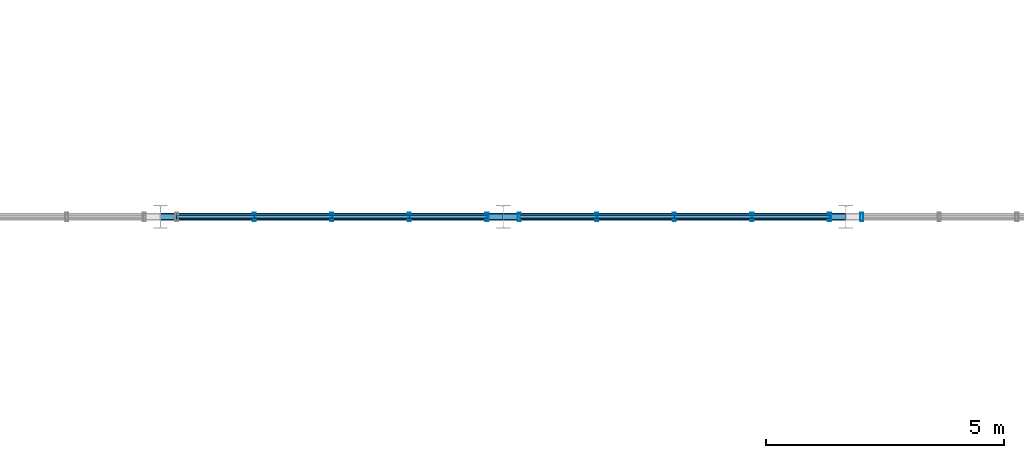
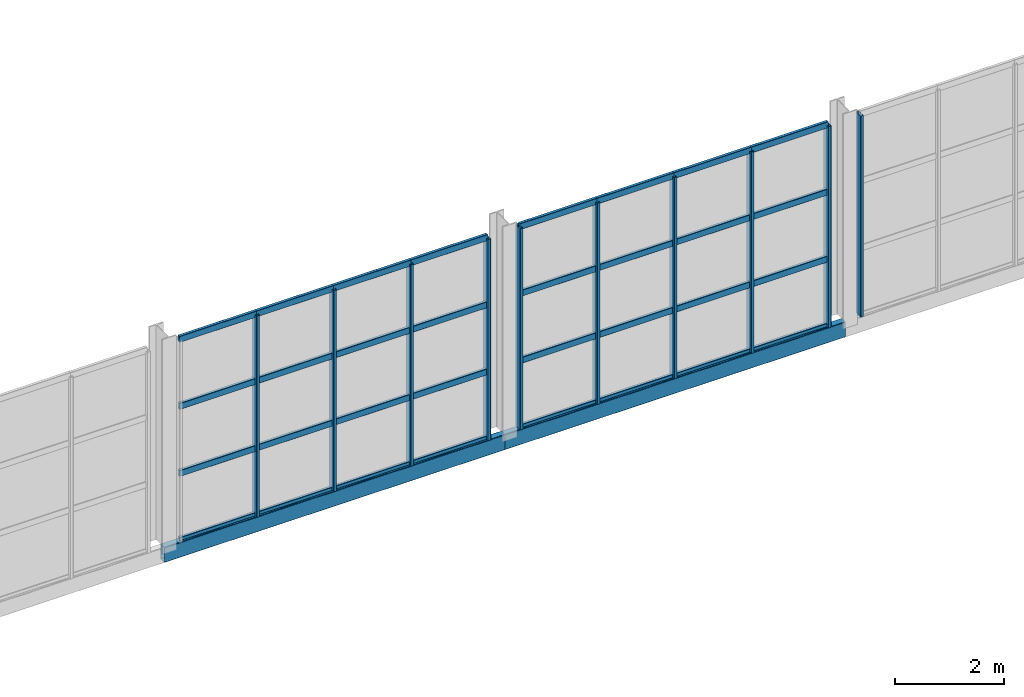
# One storey, part 29 of 143: 42 members, 2 beams, 3 elements without a shape of their own.
"""IFC4 building model written with IfcOpenShell, lengths in metres."""

from ifc_helpers import new_model, si_unit, derived_unit, direction, frame, origin, origin_2d, place, context, subcontext, project, spatial, hollow_rectangle, extrude, material, material_profile, profile_set, type_object, element, aggregate, save


model = new_model("IFC4")

# Units and contexts
model_context = context("Model", 3, precision=1e-05, world=origin(), true_north=direction((0.0, 1.0)))
body_context = subcontext(model_context, "Body", "Model", "MODEL_VIEW")
ifc_project = project(units=[si_unit("LENGTHUNIT", "METRE"), si_unit("AREAUNIT", "SQUARE_METRE"), si_unit("VOLUMEUNIT", "CUBIC_METRE"), si_unit("PLANEANGLEUNIT", "RADIAN"), si_unit("MASSUNIT", "GRAM", prefix="KILO"), derived_unit("THERMALTRANSMITTANCEUNIT", [(si_unit("POWERUNIT", "WATT"), 1), (si_unit("LENGTHUNIT", "METRE"), -2), (si_unit("THERMODYNAMICTEMPERATUREUNIT", "KELVIN"), -1)])], contexts=[model_context])

# Site, building, storey
site_placement = place(None, origin())
site = spatial("IfcSite", under=ifc_project, at=site_placement, CompositionType="ELEMENT")
building_placement = place(site_placement, origin())
building = spatial("IfcBuilding", under=site, at=building_placement, Name="Keldorne Ridge Multi-Sports Centre", CompositionType="ELEMENT")
storey_placement = place(building_placement, frame((0.0, 0.0, 4.800048828125)))
storey = spatial("IfcBuildingStorey", under=building, at=storey_placement, Name="L01", CompositionType="ELEMENT", Elevation=4.800048828125)

# Beams
ifc_material_1 = material(Name="Steel S355", Category="steel")
ifc_material_profile_1 = material_profile(ifc_material_1, hollow_rectangle(XDim=0.14990234375, YDim=0.35009765625, WallThickness=0.012451171875, InnerFilletRadius=0.012451171875, OuterFilletRadius=0.02490234375, at=origin_2d()), Name="RHS 350x150x12.5")
ifc_profile_set_1 = profile_set([ifc_material_profile_1], Name="Steel S355")
beam_type = type_object("IfcBeamType", Name="BM-SP-06", PredefinedType="SPANDREL", material=ifc_profile_set_1)
for number, where, z_axis, x_axis, name in (
    (1, (34.800048828125, 54.0, -0.175048828125), (1.0, 0.0, 0.0), (0.0, 1.0, 0.0), "Main Hall north spandrel L01.5"),
    (2, (42.0, 54.0, -0.175048828125), (1.0, 0.0, 0.0), (0.0, 1.0, 0.0), "Main Hall north spandrel L01.6"),
):
    element("IfcBeam", number, at=place(storey_placement, frame(where, z_axis=z_axis, x_axis=x_axis)), inside=storey, type_object=beam_type, Name=name, PredefinedType="SPANDREL", context=body_context, shape_type="SweptSolid", body=[
        extrude(hollow_rectangle(XDim=0.14990234375, YDim=0.35009765625, WallThickness=0.012451171875, InnerFilletRadius=0.012451171875, OuterFilletRadius=0.02490234375, at=origin_2d()), origin(), (0.0, 0.0, 1.0), 7.199951171875),
    ])

# Curtain wall, members
ifc_material_2 = material(Name="Anodized aluminium", Category="aluminium")
curtain_wall_type_1 = type_object("IfcCurtainWallType", Name="CW-CW-06", PredefinedType="NOTDEFINED", material=ifc_material_2)
curtain_wall_1_placement = place(storey_placement, origin())
curtain_wall_1 = element("IfcCurtainWall", 3, at=curtain_wall_1_placement, inside=storey, type_object=curtain_wall_type_1, Name="Main Hall north clerestory curtain wall 014", PredefinedType="NOTDEFINED")
ifc_material_profile_2 = material_profile(ifc_material_2, hollow_rectangle(XDim=0.06494140625, YDim=0.179931640625, WallThickness=0.00439453125, InnerFilletRadius=0.00439453125, OuterFilletRadius=0.009033203125, at=origin_2d()), Name="ALU MULLION 180x65x4.5")
ifc_profile_set_2 = profile_set([ifc_material_profile_2], Name="Anodized aluminium")
member_type_1 = type_object("IfcMemberType", Name="MEM-ML-01", PredefinedType="MULLION", material=ifc_profile_set_2)
member_1_placement = place(storey_placement, frame((41.659912109375, 54.0, 0.0), z_axis=(0.0, 0.0, 1.0), x_axis=(1.0, 0.0, 0.0)))
member_1 = element("IfcMember", 4, at=member_1_placement, type_object=member_type_1, Name="CW-014 vertical mullion 1", PredefinedType="MULLION", context=body_context, shape_type="SweptSolid", body=[
    extrude(hollow_rectangle(XDim=0.06494140625, YDim=0.179931640625, WallThickness=0.00439453125, InnerFilletRadius=0.00439453125, OuterFilletRadius=0.009033203125, at=origin_2d()), origin(), (0.0, 0.0, 1.0), 4.5),
])
member_2_placement = place(storey_placement, frame((40.030029296875, 54.0, 0.0), z_axis=(0.0, 0.0, 1.0), x_axis=(1.0, 0.0, 0.0)))
member_2 = element("IfcMember", 5, at=member_2_placement, type_object=member_type_1, Name="CW-014 vertical mullion 2", PredefinedType="MULLION", context=body_context, shape_type="SweptSolid", body=[
    extrude(hollow_rectangle(XDim=0.06494140625, YDim=0.179931640625, WallThickness=0.00439453125, InnerFilletRadius=0.00439453125, OuterFilletRadius=0.009033203125, at=origin_2d()), origin(), (0.0, 0.0, 1.0), 4.5),
])
member_3_placement = place(storey_placement, frame((38.39990234375, 54.0, 0.0), z_axis=(0.0, 0.0, 1.0), x_axis=(1.0, 0.0, 0.0)))
member_3 = element("IfcMember", 6, at=member_3_placement, type_object=member_type_1, Name="CW-014 vertical mullion 3", PredefinedType="MULLION", context=body_context, shape_type="SweptSolid", body=[
    extrude(hollow_rectangle(XDim=0.06494140625, YDim=0.179931640625, WallThickness=0.00439453125, InnerFilletRadius=0.00439453125, OuterFilletRadius=0.009033203125, at=origin_2d()), origin(), (0.0, 0.0, 1.0), 4.5),
])
member_4_placement = place(storey_placement, frame((36.77001953125, 54.0, 0.0), z_axis=(0.0, 0.0, 1.0), x_axis=(1.0, 0.0, 0.0)))
member_4 = element("IfcMember", 7, at=member_4_placement, type_object=member_type_1, Name="CW-014 vertical mullion 4", PredefinedType="MULLION", context=body_context, shape_type="SweptSolid", body=[
    extrude(hollow_rectangle(XDim=0.06494140625, YDim=0.179931640625, WallThickness=0.00439453125, InnerFilletRadius=0.00439453125, OuterFilletRadius=0.009033203125, at=origin_2d()), origin(), (0.0, 0.0, 1.0), 4.5),
])

curtain_wall_type_2 = type_object("IfcCurtainWallType", Name="CW-CW-08", PredefinedType="NOTDEFINED", material=ifc_material_2)
curtain_wall_2_placement = place(storey_placement, origin())
curtain_wall_2 = element("IfcCurtainWall", 8, at=curtain_wall_2_placement, inside=storey, type_object=curtain_wall_type_2, Name="Main Hall north clerestory curtain wall 016", PredefinedType="NOTDEFINED")
member_5_placement = place(storey_placement, frame((48.860107421875, 54.0, 0.0), z_axis=(0.0, 0.0, 1.0), x_axis=(1.0, 0.0, 0.0)))
member_5 = element("IfcMember", 9, at=member_5_placement, type_object=member_type_1, Name="CW-016 vertical mullion 1", PredefinedType="MULLION", context=body_context, shape_type="SweptSolid", body=[
    extrude(hollow_rectangle(XDim=0.06494140625, YDim=0.179931640625, WallThickness=0.00439453125, InnerFilletRadius=0.00439453125, OuterFilletRadius=0.009033203125, at=origin_2d()), origin(), (0.0, 0.0, 1.0), 4.5),
])
member_6_placement = place(storey_placement, frame((47.22998046875, 54.0, 0.0), z_axis=(0.0, 0.0, 1.0), x_axis=(1.0, 0.0, 0.0)))
member_6 = element("IfcMember", 10, at=member_6_placement, type_object=member_type_1, Name="CW-016 vertical mullion 2", PredefinedType="MULLION", context=body_context, shape_type="SweptSolid", body=[
    extrude(hollow_rectangle(XDim=0.06494140625, YDim=0.179931640625, WallThickness=0.00439453125, InnerFilletRadius=0.00439453125, OuterFilletRadius=0.009033203125, at=origin_2d()), origin(), (0.0, 0.0, 1.0), 4.5),
])
member_7_placement = place(storey_placement, frame((45.60009765625, 54.0, 0.0), z_axis=(0.0, 0.0, 1.0), x_axis=(1.0, 0.0, 0.0)))
member_7 = element("IfcMember", 11, at=member_7_placement, type_object=member_type_1, Name="CW-016 vertical mullion 3", PredefinedType="MULLION", context=body_context, shape_type="SweptSolid", body=[
    extrude(hollow_rectangle(XDim=0.06494140625, YDim=0.179931640625, WallThickness=0.00439453125, InnerFilletRadius=0.00439453125, OuterFilletRadius=0.009033203125, at=origin_2d()), origin(), (0.0, 0.0, 1.0), 4.5),
])
member_8_placement = place(storey_placement, frame((43.969970703125, 54.0, 0.0), z_axis=(0.0, 0.0, 1.0), x_axis=(1.0, 0.0, 0.0)))
member_8 = element("IfcMember", 12, at=member_8_placement, type_object=member_type_1, Name="CW-016 vertical mullion 4", PredefinedType="MULLION", context=body_context, shape_type="SweptSolid", body=[
    extrude(hollow_rectangle(XDim=0.06494140625, YDim=0.179931640625, WallThickness=0.00439453125, InnerFilletRadius=0.00439453125, OuterFilletRadius=0.009033203125, at=origin_2d()), origin(), (0.0, 0.0, 1.0), 4.5),
])
member_9_placement = place(storey_placement, frame((42.340087890625, 54.0, 0.0), z_axis=(0.0, 0.0, 1.0), x_axis=(1.0, 0.0, 0.0)))
member_9 = element("IfcMember", 13, at=member_9_placement, type_object=member_type_1, Name="CW-016 vertical mullion 5", PredefinedType="MULLION", context=body_context, shape_type="SweptSolid", body=[
    extrude(hollow_rectangle(XDim=0.06494140625, YDim=0.179931640625, WallThickness=0.00439453125, InnerFilletRadius=0.00439453125, OuterFilletRadius=0.009033203125, at=origin_2d()), origin(), (0.0, 0.0, 1.0), 4.5),
])

# Curtain wall, member
curtain_wall_type_3 = type_object("IfcCurtainWallType", Name="CW-CW-03", PredefinedType="NOTDEFINED", material=ifc_material_2)
curtain_wall_3_placement = place(storey_placement, origin())
curtain_wall_3 = element("IfcCurtainWall", 14, at=curtain_wall_3_placement, inside=storey, type_object=curtain_wall_type_3, Name="Main Hall north clerestory curtain wall 019", PredefinedType="NOTDEFINED")
member_10_placement = place(storey_placement, frame((49.5400390625, 54.0, 0.0), z_axis=(0.0, 0.0, 1.0), x_axis=(1.0, 0.0, 0.0)))
member_10 = element("IfcMember", 15, at=member_10_placement, type_object=member_type_1, Name="CW-019 vertical mullion 5", PredefinedType="MULLION", context=body_context, shape_type="SweptSolid", body=[
    extrude(hollow_rectangle(XDim=0.06494140625, YDim=0.179931640625, WallThickness=0.00439453125, InnerFilletRadius=0.00439453125, OuterFilletRadius=0.009033203125, at=origin_2d()), origin(), (0.0, 0.0, 1.0), 4.5),
])
aggregate(curtain_wall_3, [member_10])

# Member
ifc_material_profile_3 = material_profile(ifc_material_2, hollow_rectangle(XDim=0.06494140625, YDim=0.139892578125, WallThickness=0.00439453125, InnerFilletRadius=0.00439453125, OuterFilletRadius=0.009033203125, at=origin_2d()), Name="ALU TRANSOM 140x65x4.5")
ifc_profile_set_3 = profile_set([ifc_material_profile_3], Name="Anodized aluminium")
member_type_2 = type_object("IfcMemberType", Name="MEM-TR-01", PredefinedType="USERDEFINED", material=ifc_profile_set_3)
member_11_placement = place(storey_placement, frame((41.659912109375, 54.0, 0.0), z_axis=(-1.0, 0.0, 0.0), x_axis=(0.0, -1.0, 0.0)))
member_11 = element("IfcMember", 16, at=member_11_placement, type_object=member_type_2, Name="CW-014 transom 1.1", ObjectType="TRANSOM", PredefinedType="USERDEFINED", context=body_context, shape_type="SweptSolid", body=[
    extrude(hollow_rectangle(XDim=0.06494140625, YDim=0.139892578125, WallThickness=0.00439453125, InnerFilletRadius=0.00439453125, OuterFilletRadius=0.009033203125, at=origin_2d()), origin(), (0.0, 0.0, 1.0), 1.6298828125),
])

member_12_placement = place(storey_placement, frame((41.659912109375, 54.0, 1.5), z_axis=(-1.0, 0.0, 0.0), x_axis=(0.0, -1.0, 0.0)))
member_12 = element("IfcMember", 17, at=member_12_placement, type_object=member_type_2, Name="CW-014 transom 1.2", ObjectType="TRANSOM", PredefinedType="USERDEFINED", context=body_context, shape_type="SweptSolid", body=[
    extrude(hollow_rectangle(XDim=0.06494140625, YDim=0.139892578125, WallThickness=0.00439453125, InnerFilletRadius=0.00439453125, OuterFilletRadius=0.009033203125, at=origin_2d()), origin(), (0.0, 0.0, 1.0), 1.6298828125),
])

member_13_placement = place(storey_placement, frame((41.659912109375, 54.0, 3.0), z_axis=(-1.0, 0.0, 0.0), x_axis=(0.0, -1.0, 0.0)))
member_13 = element("IfcMember", 18, at=member_13_placement, type_object=member_type_2, Name="CW-014 transom 1.3", ObjectType="TRANSOM", PredefinedType="USERDEFINED", context=body_context, shape_type="SweptSolid", body=[
    extrude(hollow_rectangle(XDim=0.06494140625, YDim=0.139892578125, WallThickness=0.00439453125, InnerFilletRadius=0.00439453125, OuterFilletRadius=0.009033203125, at=origin_2d()), origin(), (0.0, 0.0, 1.0), 1.6298828125),
])

member_14_placement = place(storey_placement, frame((41.659912109375, 54.0, 4.5), z_axis=(-1.0, 0.0, 0.0), x_axis=(0.0, -1.0, 0.0)))
member_14 = element("IfcMember", 19, at=member_14_placement, type_object=member_type_2, Name="CW-014 transom 1.4", ObjectType="TRANSOM", PredefinedType="USERDEFINED", context=body_context, shape_type="SweptSolid", body=[
    extrude(hollow_rectangle(XDim=0.06494140625, YDim=0.139892578125, WallThickness=0.00439453125, InnerFilletRadius=0.00439453125, OuterFilletRadius=0.009033203125, at=origin_2d()), origin(), (0.0, 0.0, 1.0), 1.6298828125),
])

member_15_placement = place(storey_placement, frame((40.030029296875, 54.0, 0.0), z_axis=(-1.0, 0.0, 0.0), x_axis=(0.0, -1.0, 0.0)))
member_15 = element("IfcMember", 20, at=member_15_placement, type_object=member_type_2, Name="CW-014 transom 2.1", ObjectType="TRANSOM", PredefinedType="USERDEFINED", context=body_context, shape_type="SweptSolid", body=[
    extrude(hollow_rectangle(XDim=0.06494140625, YDim=0.139892578125, WallThickness=0.00439453125, InnerFilletRadius=0.00439453125, OuterFilletRadius=0.009033203125, at=origin_2d()), origin(), (0.0, 0.0, 1.0), 1.630126953125),
])

member_16_placement = place(storey_placement, frame((40.030029296875, 54.0, 1.5), z_axis=(-1.0, 0.0, 0.0), x_axis=(0.0, -1.0, 0.0)))
member_16 = element("IfcMember", 21, at=member_16_placement, type_object=member_type_2, Name="CW-014 transom 2.2", ObjectType="TRANSOM", PredefinedType="USERDEFINED", context=body_context, shape_type="SweptSolid", body=[
    extrude(hollow_rectangle(XDim=0.06494140625, YDim=0.139892578125, WallThickness=0.00439453125, InnerFilletRadius=0.00439453125, OuterFilletRadius=0.009033203125, at=origin_2d()), origin(), (0.0, 0.0, 1.0), 1.630126953125),
])

member_17_placement = place(storey_placement, frame((40.030029296875, 54.0, 3.0), z_axis=(-1.0, 0.0, 0.0), x_axis=(0.0, -1.0, 0.0)))
member_17 = element("IfcMember", 22, at=member_17_placement, type_object=member_type_2, Name="CW-014 transom 2.3", ObjectType="TRANSOM", PredefinedType="USERDEFINED", context=body_context, shape_type="SweptSolid", body=[
    extrude(hollow_rectangle(XDim=0.06494140625, YDim=0.139892578125, WallThickness=0.00439453125, InnerFilletRadius=0.00439453125, OuterFilletRadius=0.009033203125, at=origin_2d()), origin(), (0.0, 0.0, 1.0), 1.630126953125),
])

member_18_placement = place(storey_placement, frame((40.030029296875, 54.0, 4.5), z_axis=(-1.0, 0.0, 0.0), x_axis=(0.0, -1.0, 0.0)))
member_18 = element("IfcMember", 23, at=member_18_placement, type_object=member_type_2, Name="CW-014 transom 2.4", ObjectType="TRANSOM", PredefinedType="USERDEFINED", context=body_context, shape_type="SweptSolid", body=[
    extrude(hollow_rectangle(XDim=0.06494140625, YDim=0.139892578125, WallThickness=0.00439453125, InnerFilletRadius=0.00439453125, OuterFilletRadius=0.009033203125, at=origin_2d()), origin(), (0.0, 0.0, 1.0), 1.630126953125),
])

member_19_placement = place(storey_placement, frame((38.39990234375, 54.0, 0.0), z_axis=(-1.0, 0.0, 0.0), x_axis=(0.0, -1.0, 0.0)))
member_19 = element("IfcMember", 24, at=member_19_placement, type_object=member_type_2, Name="CW-014 transom 3.1", ObjectType="TRANSOM", PredefinedType="USERDEFINED", context=body_context, shape_type="SweptSolid", body=[
    extrude(hollow_rectangle(XDim=0.06494140625, YDim=0.139892578125, WallThickness=0.00439453125, InnerFilletRadius=0.00439453125, OuterFilletRadius=0.009033203125, at=origin_2d()), origin(), (0.0, 0.0, 1.0), 1.6298828125),
])

member_20_placement = place(storey_placement, frame((38.39990234375, 54.0, 1.5), z_axis=(-1.0, 0.0, 0.0), x_axis=(0.0, -1.0, 0.0)))
member_20 = element("IfcMember", 25, at=member_20_placement, type_object=member_type_2, Name="CW-014 transom 3.2", ObjectType="TRANSOM", PredefinedType="USERDEFINED", context=body_context, shape_type="SweptSolid", body=[
    extrude(hollow_rectangle(XDim=0.06494140625, YDim=0.139892578125, WallThickness=0.00439453125, InnerFilletRadius=0.00439453125, OuterFilletRadius=0.009033203125, at=origin_2d()), origin(), (0.0, 0.0, 1.0), 1.6298828125),
])

member_21_placement = place(storey_placement, frame((38.39990234375, 54.0, 3.0), z_axis=(-1.0, 0.0, 0.0), x_axis=(0.0, -1.0, 0.0)))
member_21 = element("IfcMember", 26, at=member_21_placement, type_object=member_type_2, Name="CW-014 transom 3.3", ObjectType="TRANSOM", PredefinedType="USERDEFINED", context=body_context, shape_type="SweptSolid", body=[
    extrude(hollow_rectangle(XDim=0.06494140625, YDim=0.139892578125, WallThickness=0.00439453125, InnerFilletRadius=0.00439453125, OuterFilletRadius=0.009033203125, at=origin_2d()), origin(), (0.0, 0.0, 1.0), 1.6298828125),
])

member_22_placement = place(storey_placement, frame((38.39990234375, 54.0, 4.5), z_axis=(-1.0, 0.0, 0.0), x_axis=(0.0, -1.0, 0.0)))
member_22 = element("IfcMember", 27, at=member_22_placement, type_object=member_type_2, Name="CW-014 transom 3.4", ObjectType="TRANSOM", PredefinedType="USERDEFINED", context=body_context, shape_type="SweptSolid", body=[
    extrude(hollow_rectangle(XDim=0.06494140625, YDim=0.139892578125, WallThickness=0.00439453125, InnerFilletRadius=0.00439453125, OuterFilletRadius=0.009033203125, at=origin_2d()), origin(), (0.0, 0.0, 1.0), 1.6298828125),
])

member_23_placement = place(storey_placement, frame((36.77001953125, 54.0, 0.0), z_axis=(-1.0, 0.0, 0.0), x_axis=(0.0, -1.0, 0.0)))
member_23 = element("IfcMember", 28, at=member_23_placement, type_object=member_type_2, Name="CW-014 transom 4.1", ObjectType="TRANSOM", PredefinedType="USERDEFINED", context=body_context, shape_type="SweptSolid", body=[
    extrude(hollow_rectangle(XDim=0.06494140625, YDim=0.139892578125, WallThickness=0.00439453125, InnerFilletRadius=0.00439453125, OuterFilletRadius=0.009033203125, at=origin_2d()), origin(), (0.0, 0.0, 1.0), 1.630126953125),
])

member_24_placement = place(storey_placement, frame((36.77001953125, 54.0, 1.5), z_axis=(-1.0, 0.0, 0.0), x_axis=(0.0, -1.0, 0.0)))
member_24 = element("IfcMember", 29, at=member_24_placement, type_object=member_type_2, Name="CW-014 transom 4.2", ObjectType="TRANSOM", PredefinedType="USERDEFINED", context=body_context, shape_type="SweptSolid", body=[
    extrude(hollow_rectangle(XDim=0.06494140625, YDim=0.139892578125, WallThickness=0.00439453125, InnerFilletRadius=0.00439453125, OuterFilletRadius=0.009033203125, at=origin_2d()), origin(), (0.0, 0.0, 1.0), 1.630126953125),
])

member_25_placement = place(storey_placement, frame((36.77001953125, 54.0, 3.0), z_axis=(-1.0, 0.0, 0.0), x_axis=(0.0, -1.0, 0.0)))
member_25 = element("IfcMember", 30, at=member_25_placement, type_object=member_type_2, Name="CW-014 transom 4.3", ObjectType="TRANSOM", PredefinedType="USERDEFINED", context=body_context, shape_type="SweptSolid", body=[
    extrude(hollow_rectangle(XDim=0.06494140625, YDim=0.139892578125, WallThickness=0.00439453125, InnerFilletRadius=0.00439453125, OuterFilletRadius=0.009033203125, at=origin_2d()), origin(), (0.0, 0.0, 1.0), 1.630126953125),
])

member_26_placement = place(storey_placement, frame((36.77001953125, 54.0, 4.5), z_axis=(-1.0, 0.0, 0.0), x_axis=(0.0, -1.0, 0.0)))
member_26 = element("IfcMember", 31, at=member_26_placement, type_object=member_type_2, Name="CW-014 transom 4.4", ObjectType="TRANSOM", PredefinedType="USERDEFINED", context=body_context, shape_type="SweptSolid", body=[
    extrude(hollow_rectangle(XDim=0.06494140625, YDim=0.139892578125, WallThickness=0.00439453125, InnerFilletRadius=0.00439453125, OuterFilletRadius=0.009033203125, at=origin_2d()), origin(), (0.0, 0.0, 1.0), 1.630126953125),
])

aggregate(curtain_wall_1, [member_1, member_2, member_3, member_4, member_11, member_12, member_13, member_14, member_15, member_16, member_17, member_18, member_19, member_20, member_21, member_22, member_23, member_24, member_25, member_26])

member_27_placement = place(storey_placement, frame((48.860107421875, 54.0, 0.0), z_axis=(-1.0, 0.0, 0.0), x_axis=(0.0, -1.0, 0.0)))
member_27 = element("IfcMember", 32, at=member_27_placement, type_object=member_type_2, Name="CW-016 transom 1.1", ObjectType="TRANSOM", PredefinedType="USERDEFINED", context=body_context, shape_type="SweptSolid", body=[
    extrude(hollow_rectangle(XDim=0.06494140625, YDim=0.139892578125, WallThickness=0.00439453125, InnerFilletRadius=0.00439453125, OuterFilletRadius=0.009033203125, at=origin_2d()), origin(), (0.0, 0.0, 1.0), 1.630126953125),
])

member_28_placement = place(storey_placement, frame((48.860107421875, 54.0, 1.5), z_axis=(-1.0, 0.0, 0.0), x_axis=(0.0, -1.0, 0.0)))
member_28 = element("IfcMember", 33, at=member_28_placement, type_object=member_type_2, Name="CW-016 transom 1.2", ObjectType="TRANSOM", PredefinedType="USERDEFINED", context=body_context, shape_type="SweptSolid", body=[
    extrude(hollow_rectangle(XDim=0.06494140625, YDim=0.139892578125, WallThickness=0.00439453125, InnerFilletRadius=0.00439453125, OuterFilletRadius=0.009033203125, at=origin_2d()), origin(), (0.0, 0.0, 1.0), 1.630126953125),
])

member_29_placement = place(storey_placement, frame((48.860107421875, 54.0, 3.0), z_axis=(-1.0, 0.0, 0.0), x_axis=(0.0, -1.0, 0.0)))
member_29 = element("IfcMember", 34, at=member_29_placement, type_object=member_type_2, Name="CW-016 transom 1.3", ObjectType="TRANSOM", PredefinedType="USERDEFINED", context=body_context, shape_type="SweptSolid", body=[
    extrude(hollow_rectangle(XDim=0.06494140625, YDim=0.139892578125, WallThickness=0.00439453125, InnerFilletRadius=0.00439453125, OuterFilletRadius=0.009033203125, at=origin_2d()), origin(), (0.0, 0.0, 1.0), 1.630126953125),
])

member_30_placement = place(storey_placement, frame((48.860107421875, 54.0, 4.5), z_axis=(-1.0, 0.0, 0.0), x_axis=(0.0, -1.0, 0.0)))
member_30 = element("IfcMember", 35, at=member_30_placement, type_object=member_type_2, Name="CW-016 transom 1.4", ObjectType="TRANSOM", PredefinedType="USERDEFINED", context=body_context, shape_type="SweptSolid", body=[
    extrude(hollow_rectangle(XDim=0.06494140625, YDim=0.139892578125, WallThickness=0.00439453125, InnerFilletRadius=0.00439453125, OuterFilletRadius=0.009033203125, at=origin_2d()), origin(), (0.0, 0.0, 1.0), 1.630126953125),
])

member_31_placement = place(storey_placement, frame((47.22998046875, 54.0, 0.0), z_axis=(-1.0, 0.0, 0.0), x_axis=(0.0, -1.0, 0.0)))
member_31 = element("IfcMember", 36, at=member_31_placement, type_object=member_type_2, Name="CW-016 transom 2.1", ObjectType="TRANSOM", PredefinedType="USERDEFINED", context=body_context, shape_type="SweptSolid", body=[
    extrude(hollow_rectangle(XDim=0.06494140625, YDim=0.139892578125, WallThickness=0.00439453125, InnerFilletRadius=0.00439453125, OuterFilletRadius=0.009033203125, at=origin_2d()), origin(), (0.0, 0.0, 1.0), 1.6298828125),
])

member_32_placement = place(storey_placement, frame((47.22998046875, 54.0, 1.5), z_axis=(-1.0, 0.0, 0.0), x_axis=(0.0, -1.0, 0.0)))
member_32 = element("IfcMember", 37, at=member_32_placement, type_object=member_type_2, Name="CW-016 transom 2.2", ObjectType="TRANSOM", PredefinedType="USERDEFINED", context=body_context, shape_type="SweptSolid", body=[
    extrude(hollow_rectangle(XDim=0.06494140625, YDim=0.139892578125, WallThickness=0.00439453125, InnerFilletRadius=0.00439453125, OuterFilletRadius=0.009033203125, at=origin_2d()), origin(), (0.0, 0.0, 1.0), 1.6298828125),
])

member_33_placement = place(storey_placement, frame((47.22998046875, 54.0, 3.0), z_axis=(-1.0, 0.0, 0.0), x_axis=(0.0, -1.0, 0.0)))
member_33 = element("IfcMember", 38, at=member_33_placement, type_object=member_type_2, Name="CW-016 transom 2.3", ObjectType="TRANSOM", PredefinedType="USERDEFINED", context=body_context, shape_type="SweptSolid", body=[
    extrude(hollow_rectangle(XDim=0.06494140625, YDim=0.139892578125, WallThickness=0.00439453125, InnerFilletRadius=0.00439453125, OuterFilletRadius=0.009033203125, at=origin_2d()), origin(), (0.0, 0.0, 1.0), 1.6298828125),
])

member_34_placement = place(storey_placement, frame((47.22998046875, 54.0, 4.5), z_axis=(-1.0, 0.0, 0.0), x_axis=(0.0, -1.0, 0.0)))
member_34 = element("IfcMember", 39, at=member_34_placement, type_object=member_type_2, Name="CW-016 transom 2.4", ObjectType="TRANSOM", PredefinedType="USERDEFINED", context=body_context, shape_type="SweptSolid", body=[
    extrude(hollow_rectangle(XDim=0.06494140625, YDim=0.139892578125, WallThickness=0.00439453125, InnerFilletRadius=0.00439453125, OuterFilletRadius=0.009033203125, at=origin_2d()), origin(), (0.0, 0.0, 1.0), 1.6298828125),
])

member_35_placement = place(storey_placement, frame((45.60009765625, 54.0, 0.0), z_axis=(-1.0, 0.0, 0.0), x_axis=(0.0, -1.0, 0.0)))
member_35 = element("IfcMember", 40, at=member_35_placement, type_object=member_type_2, Name="CW-016 transom 3.1", ObjectType="TRANSOM", PredefinedType="USERDEFINED", context=body_context, shape_type="SweptSolid", body=[
    extrude(hollow_rectangle(XDim=0.06494140625, YDim=0.139892578125, WallThickness=0.00439453125, InnerFilletRadius=0.00439453125, OuterFilletRadius=0.009033203125, at=origin_2d()), origin(), (0.0, 0.0, 1.0), 1.630126953125),
])

member_36_placement = place(storey_placement, frame((45.60009765625, 54.0, 1.5), z_axis=(-1.0, 0.0, 0.0), x_axis=(0.0, -1.0, 0.0)))
member_36 = element("IfcMember", 41, at=member_36_placement, type_object=member_type_2, Name="CW-016 transom 3.2", ObjectType="TRANSOM", PredefinedType="USERDEFINED", context=body_context, shape_type="SweptSolid", body=[
    extrude(hollow_rectangle(XDim=0.06494140625, YDim=0.139892578125, WallThickness=0.00439453125, InnerFilletRadius=0.00439453125, OuterFilletRadius=0.009033203125, at=origin_2d()), origin(), (0.0, 0.0, 1.0), 1.630126953125),
])

member_37_placement = place(storey_placement, frame((45.60009765625, 54.0, 3.0), z_axis=(-1.0, 0.0, 0.0), x_axis=(0.0, -1.0, 0.0)))
member_37 = element("IfcMember", 42, at=member_37_placement, type_object=member_type_2, Name="CW-016 transom 3.3", ObjectType="TRANSOM", PredefinedType="USERDEFINED", context=body_context, shape_type="SweptSolid", body=[
    extrude(hollow_rectangle(XDim=0.06494140625, YDim=0.139892578125, WallThickness=0.00439453125, InnerFilletRadius=0.00439453125, OuterFilletRadius=0.009033203125, at=origin_2d()), origin(), (0.0, 0.0, 1.0), 1.630126953125),
])

member_38_placement = place(storey_placement, frame((45.60009765625, 54.0, 4.5), z_axis=(-1.0, 0.0, 0.0), x_axis=(0.0, -1.0, 0.0)))
member_38 = element("IfcMember", 43, at=member_38_placement, type_object=member_type_2, Name="CW-016 transom 3.4", ObjectType="TRANSOM", PredefinedType="USERDEFINED", context=body_context, shape_type="SweptSolid", body=[
    extrude(hollow_rectangle(XDim=0.06494140625, YDim=0.139892578125, WallThickness=0.00439453125, InnerFilletRadius=0.00439453125, OuterFilletRadius=0.009033203125, at=origin_2d()), origin(), (0.0, 0.0, 1.0), 1.630126953125),
])

member_39_placement = place(storey_placement, frame((43.969970703125, 54.0, 0.0), z_axis=(-1.0, 0.0, 0.0), x_axis=(0.0, -1.0, 0.0)))
member_39 = element("IfcMember", 44, at=member_39_placement, type_object=member_type_2, Name="CW-016 transom 4.1", ObjectType="TRANSOM", PredefinedType="USERDEFINED", context=body_context, shape_type="SweptSolid", body=[
    extrude(hollow_rectangle(XDim=0.06494140625, YDim=0.139892578125, WallThickness=0.00439453125, InnerFilletRadius=0.00439453125, OuterFilletRadius=0.009033203125, at=origin_2d()), origin(), (0.0, 0.0, 1.0), 1.6298828125),
])

member_40_placement = place(storey_placement, frame((43.969970703125, 54.0, 1.5), z_axis=(-1.0, 0.0, 0.0), x_axis=(0.0, -1.0, 0.0)))
member_40 = element("IfcMember", 45, at=member_40_placement, type_object=member_type_2, Name="CW-016 transom 4.2", ObjectType="TRANSOM", PredefinedType="USERDEFINED", context=body_context, shape_type="SweptSolid", body=[
    extrude(hollow_rectangle(XDim=0.06494140625, YDim=0.139892578125, WallThickness=0.00439453125, InnerFilletRadius=0.00439453125, OuterFilletRadius=0.009033203125, at=origin_2d()), origin(), (0.0, 0.0, 1.0), 1.6298828125),
])

member_41_placement = place(storey_placement, frame((43.969970703125, 54.0, 3.0), z_axis=(-1.0, 0.0, 0.0), x_axis=(0.0, -1.0, 0.0)))
member_41 = element("IfcMember", 46, at=member_41_placement, type_object=member_type_2, Name="CW-016 transom 4.3", ObjectType="TRANSOM", PredefinedType="USERDEFINED", context=body_context, shape_type="SweptSolid", body=[
    extrude(hollow_rectangle(XDim=0.06494140625, YDim=0.139892578125, WallThickness=0.00439453125, InnerFilletRadius=0.00439453125, OuterFilletRadius=0.009033203125, at=origin_2d()), origin(), (0.0, 0.0, 1.0), 1.6298828125),
])

member_42_placement = place(storey_placement, frame((43.969970703125, 54.0, 4.5), z_axis=(-1.0, 0.0, 0.0), x_axis=(0.0, -1.0, 0.0)))
member_42 = element("IfcMember", 47, at=member_42_placement, type_object=member_type_2, Name="CW-016 transom 4.4", ObjectType="TRANSOM", PredefinedType="USERDEFINED", context=body_context, shape_type="SweptSolid", body=[
    extrude(hollow_rectangle(XDim=0.06494140625, YDim=0.139892578125, WallThickness=0.00439453125, InnerFilletRadius=0.00439453125, OuterFilletRadius=0.009033203125, at=origin_2d()), origin(), (0.0, 0.0, 1.0), 1.6298828125),
])

aggregate(curtain_wall_2, [member_5, member_6, member_7, member_8, member_9, member_27, member_28, member_29, member_30, member_31, member_32, member_33, member_34, member_35, member_36, member_37, member_38, member_39, member_40, member_41, member_42])

save(model, "model.ifc")
